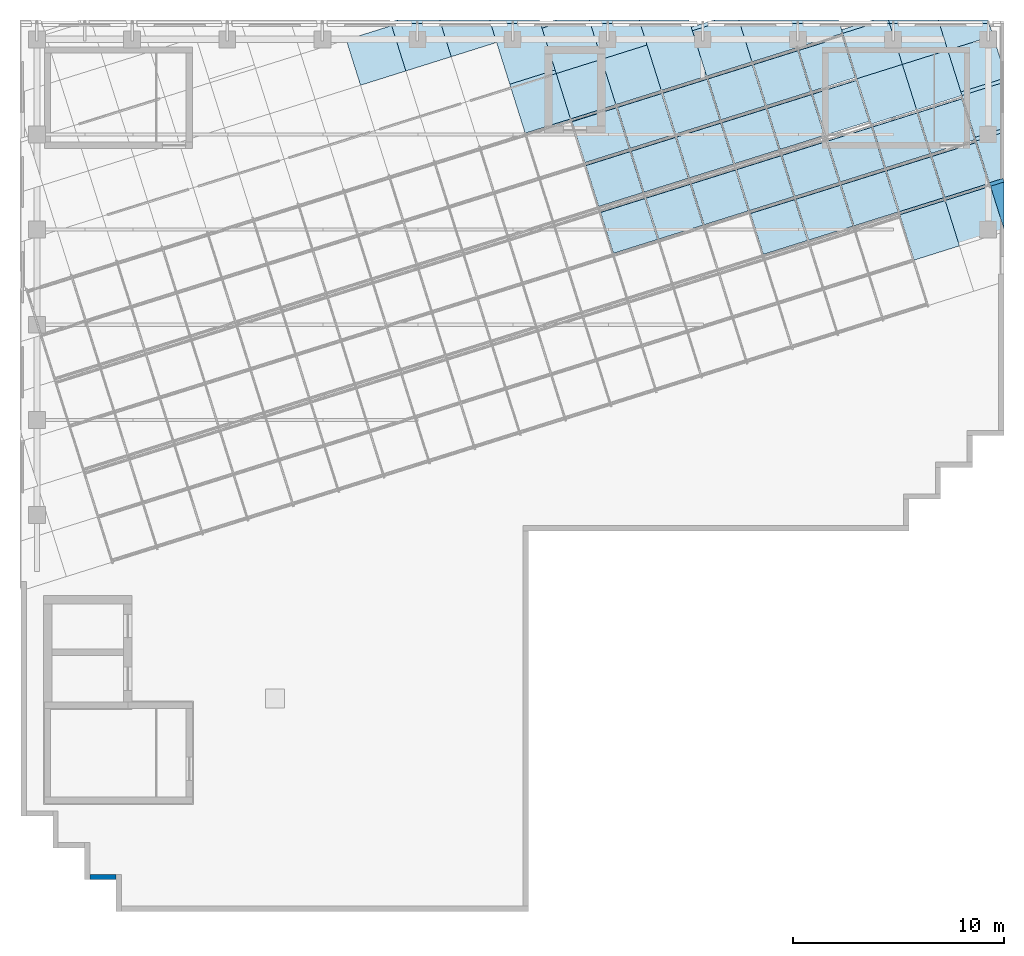
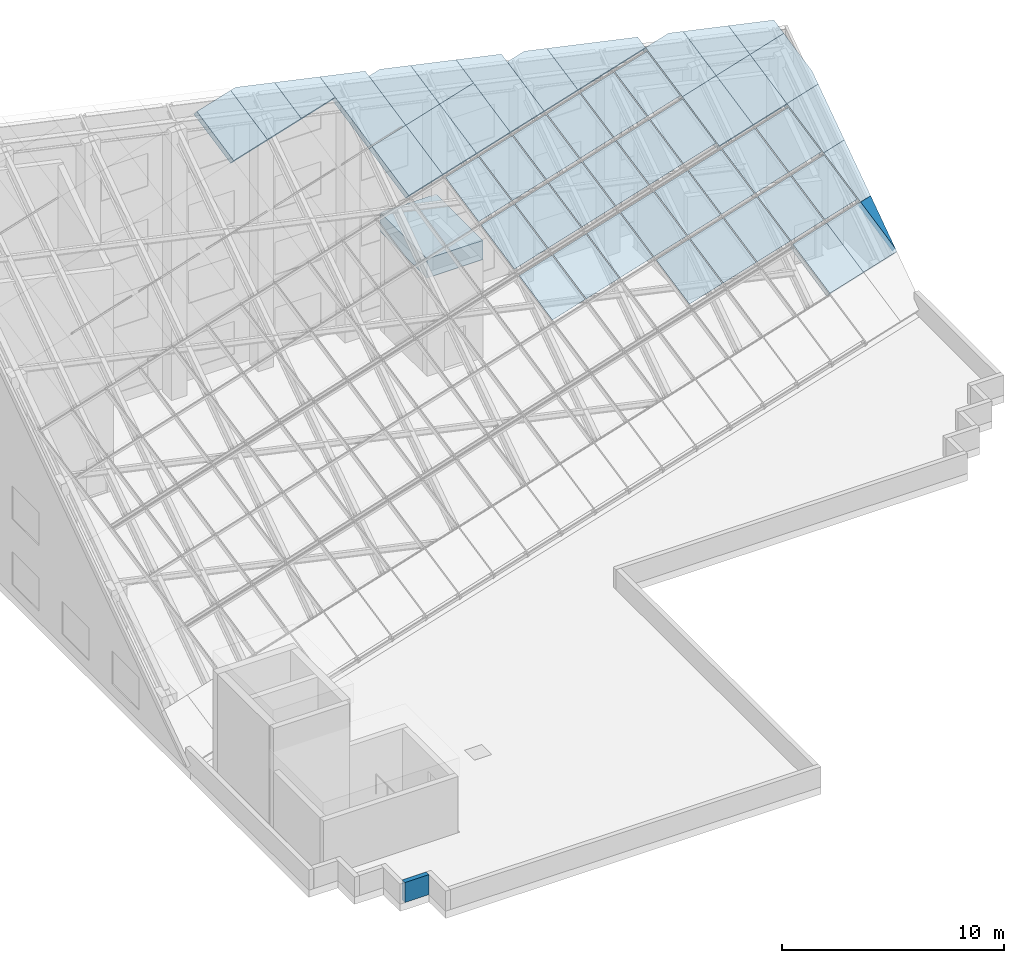
# One storey, part 9 of 14: 25 plates, 24 slabs, 1 wall, 2 elements without a shape of their own.
"""IFC4 building model written with IfcOpenShell, lengths in metres."""

from ifc_helpers import new_model, si_unit, direction, frame, frame_2d, origin, place, context, subcontext, project, spatial, polyline, rectangle, outline, extrude, material, layer, layer_set, type_object, element, aggregate, save


model = new_model("IFC4")

# Units and contexts
model_context = context("Model", 3, precision=1e-05, world=origin(), true_north=direction((0.0, 1.0)))
body_context = subcontext(model_context, "Body", "Model", "MODEL_VIEW")
ifc_project = project(units=[si_unit("LENGTHUNIT", "METRE"), si_unit("AREAUNIT", "SQUARE_METRE"), si_unit("VOLUMEUNIT", "CUBIC_METRE"), si_unit("PLANEANGLEUNIT", "RADIAN"), si_unit("MASSUNIT", "GRAM", prefix="KILO")], contexts=[model_context])

# Site, building, storey
site_placement = place(None, origin())
site = spatial("IfcSite", under=ifc_project, at=site_placement, CompositionType="ELEMENT")
building_placement = place(site_placement, origin())
building = spatial("IfcBuilding", under=site, at=building_placement, Name="Firuza Court", CompositionType="ELEMENT")
storey_placement = place(building_placement, frame((0.0, 0.0, 266.199951171875)))
storey = spatial("IfcBuildingStorey", under=building, at=storey_placement, Name="L68 Crown", CompositionType="ELEMENT", Elevation=266.199951171875)

# Slabs
ifc_material_1 = material(Name="Ceramic tile", Category="ceramic")
ifc_layer_1 = layer(ifc_material_1, 0.02001953125)
ifc_material_2 = material(Name="Mineral wool insulation", Category="insulation")
ifc_layer_2 = layer(ifc_material_2, 0.159912109375)
ifc_material_3 = material(Name="Concrete C40/50 precast", Category="concrete")
ifc_layer_3 = layer(ifc_material_3, 0.1201171875)
ifc_layer_set_1 = layer_set([ifc_layer_1, ifc_layer_2, ifc_layer_3], Name="Concrete C40/50 precast")
slab_type_1 = type_object("IfcSlabType", Name="Crown roof panel 300", PredefinedType="ROOF", material=ifc_layer_set_1)
slab_1_placement = place(storey_placement, frame((45.11279296875, 51.552734375, 3.66943359375), z_axis=(0.176383796512, -0.56073289756, 0.8089915784), x_axis=(0.953919015169, 0.300064180634, 0.0)))
element("IfcSlab", 1, at=slab_1_placement, inside=storey, type_object=slab_type_1, Name="Crown roof panel", PredefinedType="ROOF", context=body_context, shape_type="SweptSolid", body=[
    extrude(outline(polyline([(0.0, 0.0), (0.6679886039772591, 0.0), (-0.00019630607127899682, -2.625729679161602), (0.0, 0.0)])), origin(), (0.0, 0.0, -1.0), 0.300048828125),
])
slab_2_placement = place(storey_placement, frame((43.641357421875, 48.7314453125, 2.03466796875), z_axis=(0.176314356317, -0.560721426768, 0.809014665701), x_axis=(-0.242707908084, 0.771749701077, 0.587788457049)))
element("IfcSlab", 2, at=slab_2_placement, inside=storey, type_object=slab_type_1, Name="Crown roof panel", PredefinedType="ROOF", context=body_context, shape_type="SweptSolid", body=[
    extrude(outline(polyline([(0.0, 0.0), (2.7812847280583686, -5.49148400363908e-17), (2.781096311529879, -2.2500569985487173), (0.15536662781222177, -2.2499939498024832), (-4.785498030113189e-05, -2.2104425982128597), (0.0, 0.0)])), origin(), (0.0, 0.0, -1.0), 0.300048828125),
])
slab_3_placement = place(storey_placement, frame((41.494873046875, 48.056396484375, 2.03466796875), z_axis=(0.176345621074, -0.560702541655, 0.809020940217), x_axis=(-0.242629908208, 0.771780806056, 0.587779818509)))
element("IfcSlab", 3, at=slab_3_placement, inside=storey, type_object=slab_type_1, Name="Crown roof panel", PredefinedType="ROOF", context=body_context, shape_type="SweptSolid", body=[
    extrude(outline(polyline([(0.0, 0.0), (2.7812254828778915, 7.377995783763858e-17), (2.781473140517539, -2.2498973314809922), (0.0001884218222141243, -2.2501302310101745), (0.0, 0.0)])), origin(), (0.0, 0.0, -1.0), 0.300048828125),
])
slab_4_placement = place(storey_placement, frame((45.11279296875, 51.552734375, 3.66943359375), z_axis=(0.176324394127, -0.560712977738, 0.809018333928), x_axis=(-0.242709008215, 0.771753200245, 0.587783408445)))
element("IfcSlab", 4, at=slab_4_placement, inside=storey, type_object=slab_type_1, Name="Crown roof panel", PredefinedType="ROOF", context=body_context, shape_type="SweptSolid", body=[
    extrude(outline(polyline([(0.0, 0.0), (2.7812847283238176, 2.667137344314341e-17), (2.7812119717949635, -1.3755916036262636), (3.390282219192797e-05, -0.6679886022587969), (0.0, 0.0)])), origin(), (0.0, 0.0, -1.0), 0.300048828125),
])
slab_5_placement = place(storey_placement, frame((44.437744140625, 53.69921875, 5.30419921875), z_axis=(0.176285831958, -0.56072087995, 0.809021260684), x_axis=(-0.242709886775, 0.771755993133, 0.587779378615)))
element("IfcSlab", 5, at=slab_5_placement, inside=storey, type_object=slab_type_1, Name="Crown roof panel", PredefinedType="ROOF", context=body_context, shape_type="SweptSolid", body=[
    extrude(outline(polyline([(0.0, 0.0), (2.7812847284579694, 1.5070410197548512e-17), (2.78110531148539, -2.0831946073740255), (-7.275708493292843e-05, -1.3755916038974727), (0.0, 0.0)])), origin(), (0.0, 0.0, -1.0), 0.300048828125),
])
slab_6_placement = place(storey_placement, frame((43.7626953125, 55.845703125, 6.93896484375), z_axis=(0.176314626429, -0.560732425139, 0.809006983842), x_axis=(-0.242650838484, 0.771759593782, 0.587799030272)))
element("IfcSlab", 6, at=slab_6_placement, inside=storey, type_object=slab_type_1, Name="Crown roof panel", PredefinedType="ROOF", context=body_context, shape_type="SweptSolid", body=[
    extrude(outline(polyline([(0.0, 0.0), (2.7810370637712962, 7.166576360129184e-17), (2.7812254806883137, -2.2498973347222315), (0.6557514645167589, -2.2500050796290054), (-5.9820501400187354e-05, -2.0831946131608094), (0.0, 0.0)])), origin(), (0.0, 0.0, -1.0), 0.300048828125),
])
slab_7_placement = place(storey_placement, frame((43.087890625, 57.991943359375, 8.57373046875), z_axis=(0.176312672813, -0.560683183697, 0.809041537206), x_axis=(-0.242774675737, 0.771756871147, 0.587751468444)))
element("IfcSlab", 7, at=slab_7_placement, inside=storey, type_object=slab_type_1, Name="Crown roof panel", PredefinedType="ROOF", context=body_context, shape_type="SweptSolid", body=[
    extrude(outline(polyline([(0.0, 0.0), (1.6300629073644504, -5.55653613398821e-17), (0.7553893274403978, -2.2499445781561733), (-7.92054886372684e-05, -2.2498973424272), (0.0, 0.0)])), origin(), (0.0, 0.0, -1.0), 0.300048828125),
])
slab_8_placement = place(storey_placement, frame((41.616455078125, 55.170654296875, 6.93896484375), z_axis=(0.176357568193, -0.560740528308, 0.808992007411), x_axis=(-0.242726232782, 0.771720185063, 0.58781964231)))
element("IfcSlab", 8, at=slab_8_placement, inside=storey, type_object=slab_type_1, Name="Crown roof panel", PredefinedType="ROOF", context=body_context, shape_type="SweptSolid", body=[
    extrude(outline(polyline([(0.0, 0.0), (2.7810963148048606, 1.6528662119541515e-16), (2.7810370553040404, -2.2501302381188815), (-1.6664492008544585e-10, -2.249897345111447), (0.0, 0.0)])), origin(), (0.0, 0.0, -1.0), 0.300048828125),
])
slab_9_placement = place(storey_placement, frame((40.94140625, 57.31689453125, 8.57373046875), z_axis=(0.176344363277, -0.560657601186, 0.809052359105), x_axis=(-0.24270721083, 0.771789433857, 0.587736573303)))
element("IfcSlab", 9, at=slab_9_placement, inside=storey, type_object=slab_type_1, Name="Crown roof panel", PredefinedType="ROOF", context=body_context, shape_type="SweptSolid", body=[
    extrude(outline(polyline([(0.0, 0.0), (2.5047415110504887, -8.417474616634335e-17), (1.6300912212053165, -2.250009410130512), (2.8317137675593074e-05, -2.250130238286918), (0.0, 0.0)])), origin(), (0.0, 0.0, -1.0), 0.300048828125),
])
slab_10_placement = place(storey_placement, frame((39.47021484375, 54.49560546875, 6.93896484375), z_axis=(0.176329821958, -0.560721817629, 0.809011024104), x_axis=(-0.242706815333, 0.77174622707, 0.587793469506)))
element("IfcSlab", 10, at=slab_10_placement, inside=storey, type_object=slab_type_1, Name="Crown roof panel", PredefinedType="ROOF", context=body_context, shape_type="SweptSolid", body=[
    extrude(outline(polyline([(0.0, 0.0), (2.7812847276876664, 8.229094489164979e-17), (2.781155567049985, -2.249824101692063), (5.9253968536565615e-05, -2.249897343393004), (0.0, 0.0)])), origin(), (0.0, 0.0, -1.0), 0.300048828125),
])
slab_11_placement = place(storey_placement, frame((38.795166015625, 56.64208984375, 8.57373046875), z_axis=(0.17628933991, -0.560678710523, 0.809049721711), x_axis=(-0.242743548375, 0.771775241883, 0.587740202588)))
element("IfcSlab", 11, at=slab_11_placement, inside=storey, type_object=slab_type_1, Name="Crown roof panel", PredefinedType="ROOF", context=body_context, shape_type="SweptSolid", body=[
    extrude(outline(polyline([(0.0, 0.0), (2.7809528122510305, 5.889928302027503e-17), (2.7809656954475823, -1.5386675960950238), (2.5045530901113313, -2.2499215890789697), (-0.00018841923727619392, -2.2498240985256497), (0.0, 0.0)])), origin(), (0.0, 0.0, -1.0), 0.300048828125),
])
slab_12_placement = place(storey_placement, frame((33.2578125, 59.25, 11.588134765625), z_axis=(0.176323763054, -0.56081628542, 0.808946861413), x_axis=(0.977061294606, 1.2832946e-05, -0.212958273888)))
element("IfcSlab", 12, at=slab_12_placement, inside=storey, type_object=slab_type_1, Name="Crown roof panel", PredefinedType="ROOF", context=body_context, shape_type="SweptSolid", body=[
    extrude(outline(polyline([(0.0, 0.0), (4.828014068781122, -1.1102230246251565e-16), (5.044621250071965, -0.5576907838612883), (0.8503488632494922, -2.187926416680095), (0.0, 0.0)])), origin(), (0.0, 0.0, -1.0), 0.300048828125),
])
slab_13_placement = place(storey_placement, frame((31.680908203125, 56.763427734375, 10.208251953125), z_axis=(0.176305563472, -0.560739037793, 0.809004375627), x_axis=(-0.242624938914, 0.771765002508, 0.587802619866)))
element("IfcSlab", 13, at=slab_13_placement, inside=storey, type_object=slab_type_1, Name="Crown roof panel", PredefinedType="ROOF", context=body_context, shape_type="SweptSolid", body=[
    extrude(outline(polyline([(0.0, 0.0), (2.7812254823799694, -5.421010862427522e-20), (2.781284117415651, -1.1337526021233595), (2.347551874409564, -2.2500545695519643), (0.00018842016742293133, -2.2501302293494776), (0.0, 0.0)])), origin(), (0.0, 0.0, -1.0), 0.300048828125),
])
slab_14_placement = place(storey_placement, frame((29.53466796875, 56.088623046875, 10.208251953125), z_axis=(0.176329287357, -0.560733658467, 0.809002933667), x_axis=(-0.242686122447, 0.7717442534, 0.587804604709)))
element("IfcSlab", 14, at=slab_14_placement, inside=storey, type_object=slab_type_1, Name="Crown roof panel", PredefinedType="ROOF", context=body_context, shape_type="SweptSolid", body=[
    extrude(outline(polyline([(0.0, 0.0), (4.096448008816898, -1.5014167209850826e-16), (3.221812479892959, -2.250015147870222), (-8.608057404635439e-05, -2.2498241040122458), (0.0, 0.0)])), origin(), (0.0, 0.0, -1.0), 0.300048828125),
])
slab_15_placement = place(storey_placement, frame((27.38818359375, 55.41357421875, 10.208251953125), z_axis=(0.176322574119, -0.560730660289, 0.809006474923), x_axis=(-0.242625568414, 0.771767005686, 0.587799729913)))
element("IfcSlab", 15, at=slab_15_placement, inside=storey, type_object=slab_type_1, Name="Crown roof panel", PredefinedType="ROOF", context=body_context, shape_type="SweptSolid", body=[
    extrude(outline(polyline([(0.0, 0.0), (2.7812254825653415, -6.499792024050599e-17), (2.781284718841267, -2.249824105171592), (0.00018842119713480265, -2.2501302306239057), (0.0, 0.0)])), origin(), (0.0, 0.0, -1.0), 0.300048828125),
])
slab_16_placement = place(storey_placement, frame((26.71337890625, 57.56005859375, 11.843017578125), z_axis=(0.176287079045, -0.560741943809, 0.809006389477), x_axis=(-0.242715281028, 0.771738707975, 0.587799846009)))
element("IfcSlab", 16, at=slab_16_placement, inside=storey, type_object=slab_type_1, Name="Crown roof panel", PredefinedType="ROOF", context=body_context, shape_type="SweptSolid", body=[
    extrude(outline(polyline([(0.0, 0.0), (2.1897576395415097, 4.938540895671473e-17), (1.3151992885007886, -2.24998937146946), (-0.00015240397361382385, -2.2498241009767046), (0.0, 0.0)])), origin(), (0.0, 0.0, -1.0), 0.300048828125),
])
slab_17_placement = place(storey_placement, frame((25.241943359375, 54.738525390625, 10.208251953125), z_axis=(0.176345621074, -0.560702541655, 0.809020940217), x_axis=(-0.24270978987, 0.771755686517, 0.587779821218)))
element("IfcSlab", 17, at=slab_17_placement, inside=storey, type_object=slab_type_1, Name="Crown roof panel", PredefinedType="ROOF", context=body_context, shape_type="SweptSolid", body=[
    extrude(outline(polyline([(0.0, 0.0), (2.7812847284466087, -6.413055850251759e-17), (2.78128472861322, -2.250130238899225), (5.9255486403619884e-05, -2.249897344331155), (0.0, 0.0)])), origin(), (0.0, 0.0, -1.0), 0.300048828125),
])
slab_18_placement = place(storey_placement, frame((24.56689453125, 56.885009765625, 11.843017578125), z_axis=(0.176338221968, -0.560719441879, 0.809010839836), x_axis=(-0.242626877813, 0.771771170334, 0.587793721304)))
element("IfcSlab", 18, at=slab_18_placement, inside=storey, type_object=slab_type_1, Name="Crown roof panel", PredefinedType="ROOF", context=body_context, shape_type="SweptSolid", body=[
    extrude(outline(polyline([(0.0, 0.0), (2.7812254828371485, 1.848564704087785e-16), (2.781219739750199, -0.7286047162746365), (2.189946052003664, -2.2499242426497372), (0.0001884219343916138, -2.2501302311057523), (0.0, 0.0)])), origin(), (0.0, 0.0, -1.0), 0.300048828125),
])
slab_19_placement = place(storey_placement, frame((23.095458984375, 54.063720703125, 10.208251953125), z_axis=(0.176276580186, -0.560717689218, 0.809025488026), x_axis=(-0.242711154741, 0.771760026214, 0.587773559546)))
element("IfcSlab", 19, at=slab_19_placement, inside=storey, type_object=slab_type_1, Name="Crown roof panel", PredefinedType="ROOF", context=body_context, shape_type="SweptSolid", body=[
    extrude(outline(polyline([(0.0, 0.0), (2.781284728529914, 7.589415207398531e-17), (2.781096310554764, -2.2500569999201754), (-0.00018841797514990155, -2.250056999920176), (0.0, 0.0)])), origin(), (0.0, 0.0, -1.0), 0.300048828125),
])
slab_20_placement = place(storey_placement, frame((22.42041015625, 56.210205078125, 11.843017578125), z_axis=(0.176321074693, -0.56074976812, 0.80899355756), x_axis=(-0.242660933468, 0.771742345311, 0.587817508944)))
element("IfcSlab", 20, at=slab_20_placement, inside=storey, type_object=slab_type_1, Name="Crown roof panel", PredefinedType="ROOF", context=body_context, shape_type="SweptSolid", body=[
    extrude(outline(polyline([(0.0, 0.0), (3.9389264528390986, 6.158268339717665e-17), (3.064343700867959, -2.2500356624103746), (-9.254995417573575e-05, -2.2500570046935153), (0.0, 0.0)])), origin(), (0.0, 0.0, -1.0), 0.300048828125),
])
slab_21_placement = place(storey_placement, frame((19.59912109375, 57.681396484375, 13.477783203125), z_axis=(0.176306490137, -0.560728652927, 0.809011371565), x_axis=(-0.242641211043, 0.771767220192, 0.587792991232)))
element("IfcSlab", 21, at=slab_21_placement, inside=storey, type_object=slab_type_1, Name="Crown roof panel", PredefinedType="ROOF", context=body_context, shape_type="SweptSolid", body=[
    extrude(outline(polyline([(0.0, 0.0), (2.0324244975916654, 6.778296457107813e-17), (1.158044373951457, -2.2500586382198895), (0.0001549893405634606, -2.250130232238874), (0.0, 0.0)])), origin(), (0.0, 0.0, -1.0), 0.300048828125),
])
slab_22_placement = place(storey_placement, frame((17.452880859375, 57.006591796875, 13.477783203125), z_axis=(0.176333251792, -0.560715910617, 0.809014370634), x_axis=(-0.242732941803, 0.771741518436, 0.587788863186)))
element("IfcSlab", 22, at=slab_22_placement, inside=storey, type_object=slab_type_1, Name="Crown roof panel", PredefinedType="ROOF", context=body_context, shape_type="SweptSolid", body=[
    extrude(outline(polyline([(0.0, 0.0), (2.7810963136111218, -6.451002926288751e-17), (2.7811197396260274, -0.3237629621359411), (2.0322360770343595, -2.250017619046815), (-0.00018841172627859226, -2.2498240971364485), (0.0, 0.0)])), origin(), (0.0, 0.0, -1.0), 0.300048828125),
])
slab_23_placement = place(storey_placement, frame((15.306396484375, 56.33154296875, 13.477783203125), z_axis=(0.176357568193, -0.560740528308, 0.808992007411), x_axis=(-0.242646346778, 0.771745307838, 0.587819640897)))
element("IfcSlab", 23, at=slab_23_placement, inside=storey, type_object=slab_type_1, Name="Crown roof panel", PredefinedType="ROOF", context=body_context, shape_type="SweptSolid", body=[
    extrude(outline(polyline([(0.0, 0.0), (2.781037065222291, 2.336455681706262e-17), (2.7812254787109962, -2.249897337222277), (0.00012917365794862246, -2.250130235191463), (0.0, 0.0)])), origin(), (0.0, 0.0, -1.0), 0.300048828125),
])

# Curtain wall, plates
ifc_material_4 = material(Name="Aluminium curtain wall, triple clear glazing", Category="aluminium")
curtain_wall_type = type_object("IfcCurtainWallType", Name="Crown sloped structural glazing CW5", PredefinedType="NOTDEFINED", material=ifc_material_4)
curtain_wall_1_placement = place(storey_placement, origin())
curtain_wall_1 = element("IfcCurtainWall", 24, at=curtain_wall_1_placement, inside=storey, type_object=curtain_wall_type, Name="Crown sloped structural glazing CW5 2.1", PredefinedType="NOTDEFINED")
ifc_material_5 = material(Name="Triple clear glazing", Category="glass")
ifc_layer_4 = layer(ifc_material_5, 0.031982421875)
ifc_layer_set_2 = layer_set([ifc_layer_4], Name="Triple clear glazing")
plate_type = type_object("IfcPlateType", Name="Glazed panel 32 CW5", PredefinedType="CURTAIN_PANEL", material=ifc_layer_set_2)
plate_1_placement = place(storey_placement, frame((45.010498046875, 51.677978515625, 3.778564453125), z_axis=(0.176321563182, -0.560721173043, 0.809013270879), x_axis=(-0.953947520719, -0.299973545022, 0.0)))
plate_1 = element("IfcPlate", 25, at=plate_1_placement, type_object=plate_type, Name="CW5 panel 1.1", PredefinedType="CURTAIN_PANEL", context=body_context, shape_type="SweptSolid", body=[
    extrude(outline(polyline([(0.0, 0.0), (2.1600212068752938, 1.1102230246251565e-16), (2.160028712571686, -2.502918494906781), (7.505696391995892e-06, -2.502918494906781), (0.0, 0.0)])), origin(), (0.0, 0.0, -1.0), 0.031982421875),
])
plate_2_placement = place(storey_placement, frame((42.892578125, 51.011962890625, 3.778564453125), z_axis=(0.176334012168, -0.560717258312, 0.809013270833), x_axis=(-0.953934292921, -0.300015607155, -1.5905153e-05)))
plate_2 = element("IfcPlate", 26, at=plate_2_placement, type_object=plate_type, Name="CW5 panel 1.2", PredefinedType="CURTAIN_PANEL", context=body_context, shape_type="SweptSolid", body=[
    extrude(outline(polyline([(0.0, 0.0), (2.189747023702412, -1.1102230246251565e-16), (2.1898747402119394, -2.502977751869755), (-0.00033807171943848265, -2.5028592335465425), (0.0, 0.0)])), origin(), (0.0, 0.0, -1.0), 0.031982421875),
])
plate_3_placement = place(storey_placement, frame((40.746337890625, 50.3369140625, 3.778564453125), z_axis=(0.176320738759, -0.560675050747, 0.809045415631), x_axis=(-0.953940860537, -0.299994724285, 0.0)))
plate_3 = element("IfcPlate", 27, at=plate_3_placement, type_object=plate_type, Name="CW5 panel 1.3", PredefinedType="CURTAIN_PANEL", context=body_context, shape_type="SweptSolid", body=[
    extrude(outline(polyline([(0.0, 0.0), (2.189979918618649, 0.0), (2.1898692271514615, -2.503106914107691), (-0.00011069146718678535, -2.5031069141076916), (0.0, 0.0)])), origin(), (0.0, 0.0, -1.0), 0.031982421875),
])
plate_4_placement = place(storey_placement, frame((38.60009765625, 49.662109375, 3.778564453125), z_axis=(0.176329837796, -0.560703984399, 0.809023380491), x_axis=(-0.953940860537, -0.299994724285, 0.0)))
plate_4 = element("IfcPlate", 28, at=plate_4_placement, type_object=plate_type, Name="CW5 panel 1.4", PredefinedType="CURTAIN_PANEL", context=body_context, shape_type="SweptSolid", body=[
    extrude(outline(polyline([(0.0, 0.0), (2.189979918618649, -1.1102230246251565e-16), (2.1901753637688497, -2.5029777478677273), (0.00019544515020120112, -2.5029777478677273), (0.0, 0.0)])), origin(), (0.0, 0.0, -1.0), 0.031982421875),
])
plate_5_placement = place(storey_placement, frame((36.45361328125, 48.987060546875, 3.778564453125), z_axis=(0.176334012168, -0.560717258312, 0.809013270833), x_axis=(-0.953940860537, -0.299994724285, 0.0)))
plate_5 = element("IfcPlate", 29, at=plate_5_placement, type_object=plate_type, Name="CW5 panel 1.5", PredefinedType="CURTAIN_PANEL", context=body_context, shape_type="SweptSolid", body=[
    extrude(outline(polyline([(0.0, 0.0), (2.189979918618649, -1.1102230246251565e-16), (2.189942468050945, -2.502918494637853), (-3.7450567703245235e-05, -2.502918494637853), (0.0, 0.0)])), origin(), (0.0, 0.0, -1.0), 0.031982421875),
])
plate_6_placement = place(storey_placement, frame((44.35791015625, 53.752685546875, 5.358642578125), z_axis=(0.176327302634, -0.560672986787, 0.809045415433), x_axis=(-0.953937348442, -0.300005892021, 0.0)))
plate_6 = element("IfcPlate", 30, at=plate_6_placement, type_object=plate_type, Name="CW5 panel 2.1", PredefinedType="CURTAIN_PANEL", context=body_context, shape_type="SweptSolid", body=[
    extrude(outline(polyline([(0.0, 0.0), (2.1597883107730342, -1.1102230246251565e-16), (2.159653911203128, -2.5031069129470054), (-0.00013439956990612956, -2.5031069129470054), (0.0, 0.0)])), origin(), (0.0, 0.0, -1.0), 0.031982421875),
])
plate_7_placement = place(storey_placement, frame((42.240234375, 53.0869140625, 5.358642578125), z_axis=(0.17635718883, -0.560686778681, 0.809029343201), x_axis=(-0.953914464909, -0.300078644688, -2.5283663e-05)))
plate_7 = element("IfcPlate", 31, at=plate_7_placement, type_object=plate_type, Name="CW5 panel 2.2", PredefinedType="CURTAIN_PANEL", context=body_context, shape_type="SweptSolid", body=[
    extrude(outline(polyline([(0.0, 0.0), (2.1900531708319995, 0.0), (2.189727124428448, -2.503106894384577), (-0.00025278501568837416, -2.502918481217082), (0.0, 0.0)])), origin(), (0.0, 0.0, -1.0), 0.031982421875),
])
plate_8_placement = place(storey_placement, frame((40.093994140625, 52.411865234375, 5.358642578125), z_axis=(0.176329837796, -0.560703984399, 0.809023380491), x_axis=(-0.953940860537, -0.299994724285, 0.0)))
plate_8 = element("IfcPlate", 32, at=plate_8_placement, type_object=plate_type, Name="CW5 panel 2.3", PredefinedType="CURTAIN_PANEL", context=body_context, shape_type="SweptSolid", body=[
    extrude(outline(polyline([(0.0, 0.0), (2.189979918618649, -1.1102230246251565e-16), (2.1901753637688497, -2.5029777478677273), (0.00019544515020120112, -2.5029777478677273), (0.0, 0.0)])), origin(), (0.0, 0.0, -1.0), 0.031982421875),
])
plate_9_placement = place(storey_placement, frame((37.947509765625, 51.73681640625, 5.358642578125), z_axis=(0.176320738759, -0.560675050747, 0.809045415631), x_axis=(-0.953940860537, -0.299994724285, 0.0)))
plate_9 = element("IfcPlate", 33, at=plate_9_placement, type_object=plate_type, Name="CW5 panel 2.4", PredefinedType="CURTAIN_PANEL", context=body_context, shape_type="SweptSolid", body=[
    extrude(outline(polyline([(0.0, 0.0), (2.189979918618649, 0.0), (2.1898692271514615, -2.503106914107691), (-0.00011069146718678535, -2.5031069141076916), (0.0, 0.0)])), origin(), (0.0, 0.0, -1.0), 0.031982421875),
])
plate_10_placement = place(storey_placement, frame((35.80126953125, 51.06201171875, 5.358642578125), z_axis=(0.176345724443, -0.56068309007, 0.809034398515), x_axis=(-0.953922768285, -0.300052248529, -1.7329611e-05)))
plate_10 = element("IfcPlate", 34, at=plate_10_placement, type_object=plate_type, Name="CW5 panel 2.5", PredefinedType="CURTAIN_PANEL", context=body_context, shape_type="SweptSolid", body=[
    extrude(outline(polyline([(0.0, 0.0), (2.1902860605523586, -1.1102230246251565e-16), (2.1900277540702655, -2.503106902787606), (4.7839762245793496e-05, -2.5029777546015133), (0.0, 0.0)])), origin(), (0.0, 0.0, -1.0), 0.031982421875),
])
plate_11_placement = place(storey_placement, frame((33.65478515625, 50.386962890625, 5.358642578125), z_axis=(0.176334012168, -0.560717258312, 0.809013270833), x_axis=(-0.953940860537, -0.299994724285, 0.0)))
plate_11 = element("IfcPlate", 35, at=plate_11_placement, type_object=plate_type, Name="CW5 panel 2.6", PredefinedType="CURTAIN_PANEL", context=body_context, shape_type="SweptSolid", body=[
    extrude(outline(polyline([(0.0, 0.0), (2.189979918618649, -1.1102230246251565e-16), (2.189942468050945, -2.502918494637853), (-3.7450567703245235e-05, -2.502918494637853), (0.0, 0.0)])), origin(), (0.0, 0.0, -1.0), 0.031982421875),
])
plate_12_placement = place(storey_placement, frame((31.50830078125, 49.7119140625, 5.358642578125), z_axis=(0.176320738759, -0.560675050747, 0.809045415631), x_axis=(-0.953940860537, -0.299994724285, 0.0)))
plate_12 = element("IfcPlate", 36, at=plate_12_placement, type_object=plate_type, Name="CW5 panel 2.7", PredefinedType="CURTAIN_PANEL", context=body_context, shape_type="SweptSolid", body=[
    extrude(outline(polyline([(0.0, 0.0), (2.189979918618649, 0.0), (2.1898692271514615, -2.503106914107691), (-0.00011069146718678535, -2.5031069141076916), (0.0, 0.0)])), origin(), (0.0, 0.0, -1.0), 0.031982421875),
])
plate_13_placement = place(storey_placement, frame((29.362060546875, 49.037109375, 5.358642578125), z_axis=(0.176322549427, -0.560713569944, 0.80901832553), x_axis=(-0.953942593531, -0.299989213446, -7.951263e-06)))
plate_13 = element("IfcPlate", 37, at=plate_13_placement, type_object=plate_type, Name="CW5 panel 2.8", PredefinedType="CURTAIN_PANEL", context=body_context, shape_type="SweptSolid", body=[
    extrude(outline(polyline([(0.0, 0.0), (2.189979918512878, -1.1102230246251565e-16), (2.19017536387463, -2.5029777477751662), (-3.745077924669999e-05, -2.5029184945453027), (0.0, 0.0)])), origin(), (0.0, 0.0, -1.0), 0.031982421875),
])
aggregate(curtain_wall_1, [plate_1, plate_2, plate_3, plate_4, plate_5, plate_6, plate_7, plate_8, plate_9, plate_10, plate_11, plate_12, plate_13])

curtain_wall_2_placement = place(storey_placement, origin())
curtain_wall_2 = element("IfcCurtainWall", 38, at=curtain_wall_2_placement, inside=storey, type_object=curtain_wall_type, Name="Crown sloped structural glazing CW5 3.1", PredefinedType="NOTDEFINED")
plate_14_placement = place(storey_placement, frame((39.367919921875, 54.62060546875, 7.0478515625), z_axis=(0.176273108924, -0.560705926465, 0.809034396733), x_axis=(-0.953976030404, -0.299882865643, 1.7577383e-05)))
plate_14 = element("IfcPlate", 39, at=plate_14_placement, type_object=plate_type, Name="CW5 panel 1.1", PredefinedType="CURTAIN_PANEL", context=body_context, shape_type="SweptSolid", body=[
    extrude(outline(polyline([(0.0, 0.0), (2.1599479831928723, 0.0), (2.160406730266727, -2.502977713018777), (0.00015262917931191974, -2.5031069114619218), (0.0, 0.0)])), origin(), (0.0, 0.0, -1.0), 0.031982421875),
])
plate_15_placement = place(storey_placement, frame((37.25, 53.954833984375, 7.0478515625), z_axis=(0.176334012168, -0.560717258312, 0.809013270833), x_axis=(-0.953940860537, -0.299994724285, 0.0)))
plate_15 = element("IfcPlate", 40, at=plate_15_placement, type_object=plate_type, Name="CW5 panel 1.2", PredefinedType="CURTAIN_PANEL", context=body_context, shape_type="SweptSolid", body=[
    extrude(outline(polyline([(0.0, 0.0), (2.189979918618649, -1.1102230246251565e-16), (2.189942468050945, -2.502918494637853), (-3.7450567703245235e-05, -2.502918494637853), (0.0, 0.0)])), origin(), (0.0, 0.0, -1.0), 0.031982421875),
])
plate_16_placement = place(storey_placement, frame((35.103759765625, 53.27978515625, 7.0478515625), z_axis=(0.17631656485, -0.560661778305, 0.809055523007), x_axis=(-0.953940860537, -0.299994724285, 0.0)))
plate_16 = element("IfcPlate", 41, at=plate_16_placement, type_object=plate_type, Name="CW5 panel 1.3", PredefinedType="CURTAIN_PANEL", context=body_context, shape_type="SweptSolid", body=[
    extrude(outline(polyline([(0.0, 0.0), (2.189979918618649, -1.1102230246251565e-16), (2.1901021228693662, -2.5031661696917964), (0.00012220425071762797, -2.5031661696917964), (0.0, 0.0)])), origin(), (0.0, 0.0, -1.0), 0.031982421875),
])
plate_17_placement = place(storey_placement, frame((32.957275390625, 52.60498046875, 7.0478515625), z_axis=(0.176334012168, -0.560717258312, 0.809013270833), x_axis=(-0.953940860537, -0.299994724285, 0.0)))
plate_17 = element("IfcPlate", 42, at=plate_17_placement, type_object=plate_type, Name="CW5 panel 1.4", PredefinedType="CURTAIN_PANEL", context=body_context, shape_type="SweptSolid", body=[
    extrude(outline(polyline([(0.0, 0.0), (2.189979918618649, -1.1102230246251565e-16), (2.189942468050945, -2.502918494637853), (-3.7450567703245235e-05, -2.502918494637853), (0.0, 0.0)])), origin(), (0.0, 0.0, -1.0), 0.031982421875),
])
plate_18_placement = place(storey_placement, frame((30.810791015625, 51.929931640625, 7.0478515625), z_axis=(0.176326723427, -0.560726843452, 0.809008216051), x_axis=(-0.953942593613, -0.299989213185, -7.951352e-06)))
plate_18 = element("IfcPlate", 43, at=plate_18_placement, type_object=plate_type, Name="CW5 panel 1.5", PredefinedType="CURTAIN_PANEL", context=body_context, shape_type="SweptSolid", body=[
    extrude(outline(polyline([(0.0, 0.0), (2.189979918512873, 0.0), (2.189942468156719, -2.5029184945453054), (-0.0002703464971722998, -2.502859242055869), (0.0, 0.0)])), origin(), (0.0, 0.0, -1.0), 0.031982421875),
])
plate_19_placement = place(storey_placement, frame((28.66455078125, 51.2548828125, 7.0478515625), z_axis=(0.176320738759, -0.560675050747, 0.809045415631), x_axis=(-0.953940860537, -0.299994724285, 0.0)))
plate_19 = element("IfcPlate", 44, at=plate_19_placement, type_object=plate_type, Name="CW5 panel 1.6", PredefinedType="CURTAIN_PANEL", context=body_context, shape_type="SweptSolid", body=[
    extrude(outline(polyline([(0.0, 0.0), (2.189979918618649, 0.0), (2.1898692271514615, -2.503106914107691), (-0.00011069146718678535, -2.5031069141076916), (0.0, 0.0)])), origin(), (0.0, 0.0, -1.0), 0.031982421875),
])
plate_20_placement = place(storey_placement, frame((38.71533203125, 56.695556640625, 8.628173828125), z_axis=(0.176321563182, -0.560721173043, 0.809013270879), x_axis=(-0.953947520719, -0.299973545022, 0.0)))
plate_20 = element("IfcPlate", 45, at=plate_20_placement, type_object=plate_type, Name="CW5 panel 2.1", PredefinedType="CURTAIN_PANEL", context=body_context, shape_type="SweptSolid", body=[
    extrude(outline(polyline([(0.0, 0.0), (2.1600212068752938, 1.1102230246251565e-16), (2.160028712571686, -2.502918494906781), (7.505696391995892e-06, -2.502918494906781), (0.0, 0.0)])), origin(), (0.0, 0.0, -1.0), 0.031982421875),
])
plate_21_placement = place(storey_placement, frame((36.59765625, 56.029541015625, 8.628173828125), z_axis=(0.17629338783, -0.560692257819, 0.809039451096), x_axis=(-0.953967250013, -0.299910795511, 2.5285917e-05)))
plate_21 = element("IfcPlate", 46, at=plate_21_placement, type_object=plate_type, Name="CW5 panel 2.2", PredefinedType="CURTAIN_PANEL", context=body_context, shape_type="SweptSolid", body=[
    extrude(outline(polyline([(0.0, 0.0), (2.1899066890337684, 1.1102230246251565e-16), (2.1903174908239382, -2.502977720851133), (0.0003375813811094326, -2.503166148975658), (0.0, 0.0)])), origin(), (0.0, 0.0, -1.0), 0.031982421875),
])
plate_22_placement = place(storey_placement, frame((34.451171875, 55.354736328125, 8.628173828125), z_axis=(0.176334012168, -0.560717258312, 0.809013270833), x_axis=(-0.953940860537, -0.299994724285, 0.0)))
plate_22 = element("IfcPlate", 47, at=plate_22_placement, type_object=plate_type, Name="CW5 panel 2.3", PredefinedType="CURTAIN_PANEL", context=body_context, shape_type="SweptSolid", body=[
    extrude(outline(polyline([(0.0, 0.0), (2.189979918618649, -1.1102230246251565e-16), (2.189942468050945, -2.502918494637853), (-3.7450567703245235e-05, -2.502918494637853), (0.0, 0.0)])), origin(), (0.0, 0.0, -1.0), 0.031982421875),
])
plate_23_placement = place(storey_placement, frame((32.304931640625, 54.6796875, 8.628173828125), z_axis=(0.176297560559, -0.560705528974, 0.809029344288), x_axis=(-0.953946370996, -0.299977200175, -2.5285354e-05)))
plate_23 = element("IfcPlate", 48, at=plate_23_placement, type_object=plate_type, Name="CW5 panel 2.4", PredefinedType="CURTAIN_PANEL", context=body_context, shape_type="SweptSolid", body=[
    extrude(outline(polyline([(0.0, 0.0), (2.189979917549053, -1.1102230246251565e-16), (2.1898692282210037, -2.503106913171992), (-3.7452706913041525e-05, -2.502918493701956), (0.0, 0.0)])), origin(), (0.0, 0.0, -1.0), 0.031982421875),
])
plate_24_placement = place(storey_placement, frame((30.158447265625, 54.004638671875, 8.628173828125), z_axis=(0.176297560559, -0.560705528974, 0.809029344288), x_axis=(-0.953967249752, -0.299910796341, 2.5286199e-05)))
plate_24 = element("IfcPlate", 49, at=plate_24_placement, type_object=plate_type, Name="CW5 panel 2.5", PredefinedType="CURTAIN_PANEL", context=body_context, shape_type="SweptSolid", body=[
    extrude(outline(polyline([(0.0, 0.0), (2.1899066890337173, -1.1102230246251565e-16), (2.1900845873181463, -2.5029184876599904), (0.00010467787516601404, -2.503106913430604), (0.0, 0.0)])), origin(), (0.0, 0.0, -1.0), 0.031982421875),
])
plate_25_placement = place(storey_placement, frame((28.01220703125, 53.329833984375, 8.628173828125), z_axis=(0.176329837796, -0.560703984399, 0.809023380491), x_axis=(-0.953940860537, -0.299994724285, 0.0)))
plate_25 = element("IfcPlate", 50, at=plate_25_placement, type_object=plate_type, Name="CW5 panel 2.6", PredefinedType="CURTAIN_PANEL", context=body_context, shape_type="SweptSolid", body=[
    extrude(outline(polyline([(0.0, 0.0), (2.189979918618649, -1.1102230246251565e-16), (2.1901753637688497, -2.5029777478677273), (0.00019544515020120112, -2.5029777478677273), (0.0, 0.0)])), origin(), (0.0, 0.0, -1.0), 0.031982421875),
])
aggregate(curtain_wall_2, [plate_14, plate_15, plate_16, plate_17, plate_18, plate_19, plate_20, plate_21, plate_22, plate_23, plate_24, plate_25])

# Slab
ifc_material_6 = material(Name="Concrete C40/50", Category="concrete")
ifc_layer_5 = layer(ifc_material_6, 1.050048828125)
ifc_layer_set_3 = layer_set([ifc_layer_5], Name="Concrete C40/50")
slab_type_2 = type_object("IfcSlabType", Name="Roof slab 1050 C40/50", PredefinedType="ROOF", material=ifc_layer_set_3)
slab_24_placement = place(storey_placement, frame((0.0, 0.0, 5.400146484375)))
element("IfcSlab", 51, at=slab_24_placement, inside=storey, type_object=slab_type_2, Name="Lift FL3 overrun roof slab L68", PredefinedType="ROOF", context=body_context, shape_type="SweptSolid", body=[
    extrude(outline(polyline([(24.0, 58.199951171875), (26.89990234375, 58.199951171875), (26.89990234375, 54.0), (24.0, 54.0), (24.0, 58.199951171875)])), origin(), (0.0, 0.0, 1.0), 1.0498046875),
])

# Wall
ifc_layer_6 = layer(ifc_material_3, 0.22998046875)
ifc_layer_7 = layer(ifc_material_1, 0.02001953125)
ifc_layer_set_4 = layer_set([ifc_layer_6, ifc_layer_7], Name="Concrete C40/50 precast")
wall_type = type_object("IfcWallType", Name="Parapet wall 250", PredefinedType="PARAPET", material=ifc_layer_set_4)
wall_placement = place(storey_placement, frame((2.5, 18.875, 0.0), z_axis=(0.0, 0.0, 1.0), x_axis=(1.0, 0.0, 0.0)))
element("IfcWall", 52, at=wall_placement, inside=storey, type_object=wall_type, Name="Roof parapet L68", PredefinedType="PARAPET", context=body_context, shape_type="SweptSolid", body=[
    extrude(rectangle(XDim=1.25, YDim=0.25, at=frame_2d((0.625, 0.0))), origin(), (0.0, 0.0, 1.0), 1.10009765625),
])

save(model, "model.ifc")
